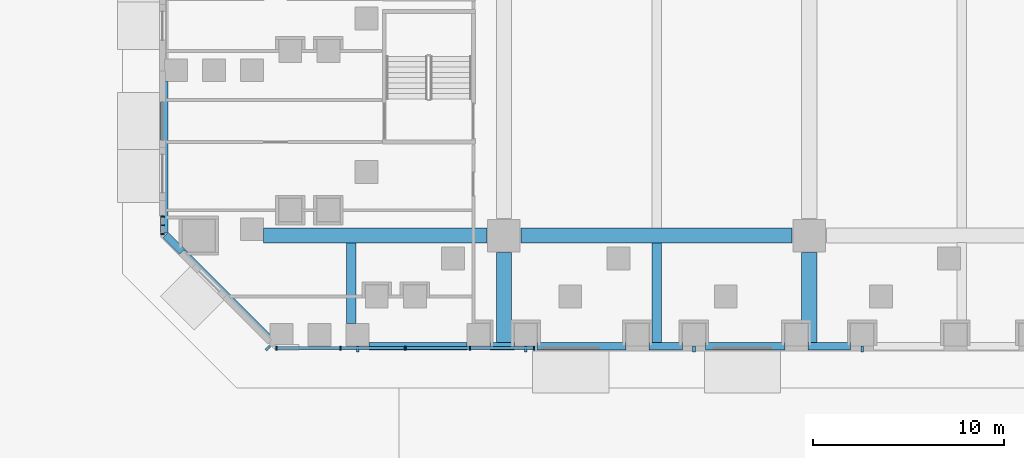
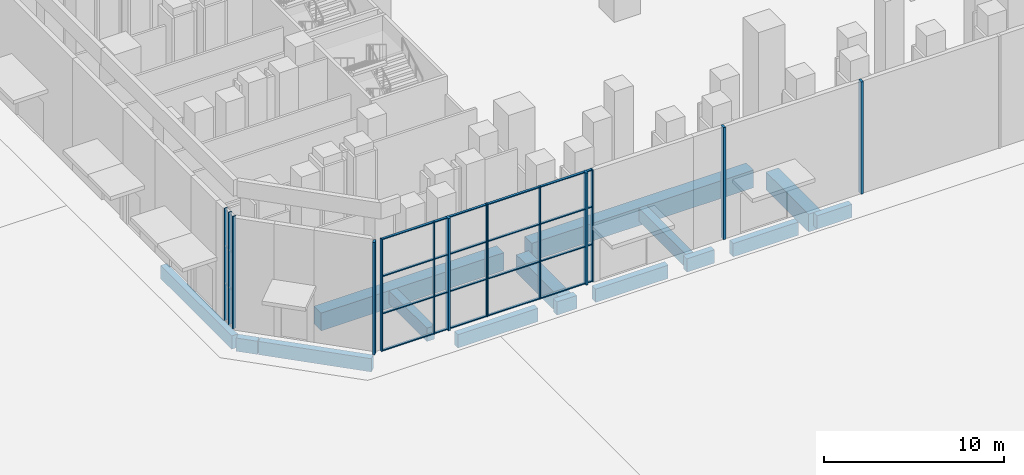
# One storey, part 2 of 51: 30 members, 15 beams, 3 elements without a shape of their own.
"""IFC4 building model written with IfcOpenShell, lengths in metres."""

from ifc_helpers import new_model, si_unit, direction, frame, origin, origin_2d, place, context, subcontext, project, spatial, rectangle, extrude, material, material_profile, profile_set, type_object, element, aggregate, save


model = new_model("IFC4")

# Units and contexts
model_context = context("Model", 3, precision=1e-05, world=origin(), true_north=direction((0.0, 1.0)))
body_context = subcontext(model_context, "Body", "Model", "MODEL_VIEW")
ifc_project = project(units=[si_unit("LENGTHUNIT", "METRE"), si_unit("AREAUNIT", "SQUARE_METRE"), si_unit("VOLUMEUNIT", "CUBIC_METRE"), si_unit("PLANEANGLEUNIT", "RADIAN"), si_unit("MASSUNIT", "GRAM", prefix="KILO")], contexts=[model_context])

# Site, building, storey
site_placement = place(None, origin())
site = spatial("IfcSite", under=ifc_project, at=site_placement, CompositionType="ELEMENT")
building_placement = place(site_placement, origin())
building = spatial("IfcBuilding", under=site, at=building_placement, Name="Calabash Gate Tower", CompositionType="ELEMENT")
storey_placement = place(building_placement, origin())
storey = spatial("IfcBuildingStorey", under=building, at=storey_placement, Name="L00", CompositionType="ELEMENT", Elevation=0.0)

# Beams
ifc_material_1 = material(Name="Concrete C50/60", Category="concrete")
ifc_material_profile_1 = material_profile(ifc_material_1, rectangle(XDim=0.39990234375, YDim=0.89990234375, at=origin_2d()))
ifc_profile_set_1 = profile_set([ifc_material_profile_1], Name="Concrete C50/60")
beam_type_1 = type_object("IfcBeamType", Name="Edge beam RC 400x900 Concrete C50/60", PredefinedType="BEAM", material=ifc_profile_set_1)
beam_1_placement = place(storey_placement, frame((-44.24609375, -45.470947265625, -1.0), z_axis=(-0.707106781187, 0.707106781187, 0.0), x_axis=(-0.707106781187, -0.707106781187, 0.0)))
element("IfcBeam", 1, at=beam_1_placement, inside=storey, type_object=beam_type_1, Name="Edge beam L00 1", PredefinedType="BEAM", context=body_context, shape_type="SweptSolid", body=[
    extrude(rectangle(XDim=0.39990234375, YDim=0.89990234375, at=origin_2d()), origin(), (0.0, 0.0, 1.0), 6.496826171875),
])
beam_2_placement = place(storey_placement, frame((-48.876953125, -40.840087890625, -1.0), z_axis=(-0.707106781187, 0.707106781187, 0.0), x_axis=(-0.707106781187, -0.707106781187, 0.0)))
element("IfcBeam", 2, at=beam_2_placement, inside=storey, type_object=beam_type_1, Name="Edge beam L00 2", PredefinedType="BEAM", context=body_context, shape_type="SweptSolid", body=[
    extrude(rectangle(XDim=0.39990234375, YDim=0.89990234375, at=origin_2d()), origin(), (0.0, 0.0, 1.0), 1.220458984375),
])
beam_3_placement = place(storey_placement, frame((-49.800048828125, -39.83203125, -1.0), z_axis=(0.0, 1.0, 0.0), x_axis=(-1.0, 0.0, 0.0)))
element("IfcBeam", 3, at=beam_3_placement, inside=storey, type_object=beam_type_1, Name="Edge beam L00 3", PredefinedType="BEAM", context=body_context, shape_type="SweptSolid", body=[
    extrude(rectangle(XDim=0.39990234375, YDim=0.89990234375, at=origin_2d()), origin(), (0.0, 0.0, 1.0), 7.89892578125),
])
beam_4_placement = place(storey_placement, frame((-13.822998046875, -45.800048828125, -1.0), z_axis=(-1.0, 0.0, 0.0), x_axis=(0.0, -1.0, 0.0)))
element("IfcBeam", 4, at=beam_4_placement, inside=storey, type_object=beam_type_1, Name="Edge beam L00 47", PredefinedType="BEAM", context=body_context, shape_type="SweptSolid", body=[
    extrude(rectangle(XDim=0.39990234375, YDim=0.89990234375, at=origin_2d()), origin(), (0.0, 0.0, 1.0), 2.243896484375),
])
beam_5_placement = place(storey_placement, frame((-17.26806640625, -45.800048828125, -1.0), z_axis=(-1.0, 0.0, 0.0), x_axis=(0.0, -1.0, 0.0)))
element("IfcBeam", 5, at=beam_5_placement, inside=storey, type_object=beam_type_1, Name="Edge beam L00 48", PredefinedType="BEAM", context=body_context, shape_type="SweptSolid", body=[
    extrude(rectangle(XDim=0.39990234375, YDim=0.89990234375, at=origin_2d()), origin(), (0.0, 0.0, 1.0), 4.169921875),
])
beam_6_placement = place(storey_placement, frame((-22.637939453125, -45.800048828125, -1.0), z_axis=(-1.0, 0.0, 0.0), x_axis=(0.0, -1.0, 0.0)))
element("IfcBeam", 6, at=beam_6_placement, inside=storey, type_object=beam_type_1, Name="Edge beam L00 49", PredefinedType="BEAM", context=body_context, shape_type="SweptSolid", body=[
    extrude(rectangle(XDim=0.39990234375, YDim=0.89990234375, at=origin_2d()), origin(), (0.0, 0.0, 1.0), 1.762939453125),
])
beam_7_placement = place(storey_placement, frame((-25.60107421875, -45.800048828125, -1.0), z_axis=(-1.0, 0.0, 0.0), x_axis=(0.0, -1.0, 0.0)))
element("IfcBeam", 7, at=beam_7_placement, inside=storey, type_object=beam_type_1, Name="Edge beam L00 50", PredefinedType="BEAM", context=body_context, shape_type="SweptSolid", body=[
    extrude(rectangle(XDim=0.39990234375, YDim=0.89990234375, at=origin_2d()), origin(), (0.0, 0.0, 1.0), 4.65185546875),
])
beam_8_placement = place(storey_placement, frame((-31.452880859375, -45.800048828125, -1.0), z_axis=(-1.0, 0.0, 0.0), x_axis=(0.0, -1.0, 0.0)))
element("IfcBeam", 8, at=beam_8_placement, inside=storey, type_object=beam_type_1, Name="Edge beam L00 51", PredefinedType="BEAM", context=body_context, shape_type="SweptSolid", body=[
    extrude(rectangle(XDim=0.39990234375, YDim=0.89990234375, at=origin_2d()), origin(), (0.0, 0.0, 1.0), 1.280029296875),
])
beam_9_placement = place(storey_placement, frame((-33.93310546875, -45.800048828125, -1.0), z_axis=(-1.0, 0.0, 0.0), x_axis=(0.0, -1.0, 0.0)))
element("IfcBeam", 9, at=beam_9_placement, inside=storey, type_object=beam_type_1, Name="Edge beam L00 52", PredefinedType="BEAM", context=body_context, shape_type="SweptSolid", body=[
    extrude(rectangle(XDim=0.39990234375, YDim=0.89990234375, at=origin_2d()), origin(), (0.0, 0.0, 1.0), 5.135986328125),
])
ifc_material_2 = material(Name="Concrete C50/60", Category="concrete")
ifc_material_profile_2 = material_profile(ifc_material_2, rectangle(XDim=0.5, YDim=0.89990234375, at=origin_2d()))
ifc_profile_set_2 = profile_set([ifc_material_profile_2], Name="Concrete C50/60")
beam_type_2 = type_object("IfcBeamType", Name="Floor beam RC 500x900 Concrete C50/60", PredefinedType="BEAM", material=ifc_profile_set_2)
beam_10_placement = place(storey_placement, frame((-40.0, -44.60009765625, -1.0), z_axis=(0.0, 1.0, 0.0), x_axis=(-1.0, 0.0, 0.0)))
element("IfcBeam", 10, at=beam_10_placement, inside=storey, type_object=beam_type_2, Name="Floor beam L00 1", PredefinedType="BEAM", context=body_context, shape_type="SweptSolid", body=[
    extrude(rectangle(XDim=0.5, YDim=0.89990234375, at=origin_2d()), origin(), (0.0, 0.0, 1.0), 4.2001953125),
])
beam_11_placement = place(storey_placement, frame((-24.0, -45.60009765625, -1.0), z_axis=(0.0, 1.0, 0.0), x_axis=(-1.0, 0.0, 0.0)))
element("IfcBeam", 11, at=beam_11_placement, inside=storey, type_object=beam_type_2, Name="Floor beam L00 2", PredefinedType="BEAM", context=body_context, shape_type="SweptSolid", body=[
    extrude(rectangle(XDim=0.5, YDim=0.89990234375, at=origin_2d()), origin(), (0.0, 0.0, 1.0), 5.2001953125),
])
ifc_material_3 = material(Name="Concrete C50/60", Category="concrete")
ifc_material_profile_3 = material_profile(ifc_material_3, rectangle(XDim=0.800048828125, YDim=1.199951171875, at=origin_2d()))
ifc_profile_set_3 = profile_set([ifc_material_profile_3], Name="Concrete C50/60")
beam_type_3 = type_object("IfcBeamType", Name="Grid girder RC 800x1200 Concrete C50/60", PredefinedType="BEAM", material=ifc_profile_set_3)
beam_12_placement = place(storey_placement, frame((-32.0, -45.60009765625, -1.14990234375), z_axis=(0.0, 1.0, 0.0), x_axis=(-1.0, 0.0, 0.0)))
element("IfcBeam", 12, at=beam_12_placement, inside=storey, type_object=beam_type_3, Name="Grid girder L00 2", PredefinedType="BEAM", context=body_context, shape_type="SweptSolid", body=[
    extrude(rectangle(XDim=0.800048828125, YDim=1.199951171875, at=origin_2d()), origin(), (0.0, 0.0, 1.0), 4.7001953125),
])
beam_13_placement = place(storey_placement, frame((-16.0, -45.632080078125, -1.14990234375), z_axis=(0.0, 1.0, 0.0), x_axis=(-1.0, 0.0, 0.0)))
element("IfcBeam", 13, at=beam_13_placement, inside=storey, type_object=beam_type_3, Name="Grid girder L00 7", PredefinedType="BEAM", context=body_context, shape_type="SweptSolid", body=[
    extrude(rectangle(XDim=0.800048828125, YDim=1.199951171875, at=origin_2d()), origin(), (0.0, 0.0, 1.0), 4.732177734375),
])
beam_14_placement = place(storey_placement, frame((-44.60009765625, -40.0, -1.14990234375), z_axis=(1.0, 0.0, 0.0), x_axis=(0.0, 1.0, 0.0)))
element("IfcBeam", 14, at=beam_14_placement, inside=storey, type_object=beam_type_3, Name="Grid girder L00 29", PredefinedType="BEAM", context=body_context, shape_type="SweptSolid", body=[
    extrude(rectangle(XDim=0.800048828125, YDim=1.199951171875, at=origin_2d()), origin(), (0.0, 0.0, 1.0), 11.7001953125),
])
beam_15_placement = place(storey_placement, frame((-31.10009765625, -40.0, -1.14990234375), z_axis=(1.0, 0.0, 0.0), x_axis=(0.0, 1.0, 0.0)))
element("IfcBeam", 15, at=beam_15_placement, inside=storey, type_object=beam_type_3, Name="Grid girder L00 30", PredefinedType="BEAM", context=body_context, shape_type="SweptSolid", body=[
    extrude(rectangle(XDim=0.800048828125, YDim=1.199951171875, at=origin_2d()), origin(), (0.0, 0.0, 1.0), 14.2001953125),
])

# Curtain wall, members
ifc_material_4 = material(Name="Anodised aluminium frame, bronze finish, clear laminated impact-rated glazing", Category="aluminium")
curtain_wall_type = type_object("IfcCurtainWallType", Name="Curtain wall CWF podium shopfront", PredefinedType="NOTDEFINED", material=ifc_material_4)
curtain_wall_1_placement = place(storey_placement, origin())
curtain_wall_1 = element("IfcCurtainWall", 16, at=curtain_wall_1_placement, inside=storey, type_object=curtain_wall_type, Name="Curtain wall CWF L00 0.0.0", PredefinedType="NOTDEFINED")
ifc_material_5 = material(Name="Anodised aluminium frame, bronze finish", Category="aluminium")
ifc_material_profile_4 = material_profile(ifc_material_5, rectangle(XDim=0.199951171875, YDim=0.06494140625, at=origin_2d()))
ifc_profile_set_4 = profile_set([ifc_material_profile_4], Name="Anodised aluminium frame, bronze finish")
member_type_1 = type_object("IfcMemberType", Name="Mullion CWF 65x200", PredefinedType="MULLION", material=ifc_profile_set_4)
member_1_placement = place(storey_placement, frame((-43.91748046875, -45.89990234375, 0.0), z_axis=(0.0, 0.0, 1.0), x_axis=(0.0, 1.0, 0.0)))
member_1 = element("IfcMember", 17, at=member_1_placement, type_object=member_type_1, Name="CWF mullion 1", PredefinedType="MULLION", context=body_context, shape_type="SweptSolid", body=[
    extrude(rectangle(XDim=0.199951171875, YDim=0.06494140625, at=origin_2d()), origin(), (0.0, 0.0, 1.0), 7.60009765625),
])
member_2_placement = place(storey_placement, frame((-40.5615234375, -45.89990234375, 0.0), z_axis=(0.0, 0.0, 1.0), x_axis=(0.0, 1.0, 0.0)))
member_2 = element("IfcMember", 18, at=member_2_placement, type_object=member_type_1, Name="CWF mullion 2", PredefinedType="MULLION", context=body_context, shape_type="SweptSolid", body=[
    extrude(rectangle(XDim=0.199951171875, YDim=0.06494140625, at=origin_2d()), origin(), (0.0, 0.0, 1.0), 7.60009765625),
])
member_3_placement = place(storey_placement, frame((-37.20556640625, -45.89990234375, 0.0), z_axis=(0.0, 0.0, 1.0), x_axis=(0.0, 1.0, 0.0)))
member_3 = element("IfcMember", 19, at=member_3_placement, type_object=member_type_1, Name="CWF mullion 3", PredefinedType="MULLION", context=body_context, shape_type="SweptSolid", body=[
    extrude(rectangle(XDim=0.199951171875, YDim=0.06494140625, at=origin_2d()), origin(), (0.0, 0.0, 1.0), 7.60009765625),
])

curtain_wall_2_placement = place(storey_placement, origin())
curtain_wall_2 = element("IfcCurtainWall", 20, at=curtain_wall_2_placement, inside=storey, type_object=curtain_wall_type, Name="Curtain wall CWF L00 0.0.1", PredefinedType="NOTDEFINED")
member_4_placement = place(storey_placement, frame((-37.140380859375, -45.89990234375, 0.0), z_axis=(0.0, 0.0, 1.0), x_axis=(0.0, 1.0, 0.0)))
member_4 = element("IfcMember", 21, at=member_4_placement, type_object=member_type_1, Name="CWF mullion 1", PredefinedType="MULLION", context=body_context, shape_type="SweptSolid", body=[
    extrude(rectangle(XDim=0.199951171875, YDim=0.06494140625, at=origin_2d()), origin(), (0.0, 0.0, 1.0), 7.60009765625),
])
member_5_placement = place(storey_placement, frame((-33.784423828125, -45.89990234375, 0.0), z_axis=(0.0, 0.0, 1.0), x_axis=(0.0, 1.0, 0.0)))
member_5 = element("IfcMember", 22, at=member_5_placement, type_object=member_type_1, Name="CWF mullion 2", PredefinedType="MULLION", context=body_context, shape_type="SweptSolid", body=[
    extrude(rectangle(XDim=0.199951171875, YDim=0.06494140625, at=origin_2d()), origin(), (0.0, 0.0, 1.0), 7.60009765625),
])
member_6_placement = place(storey_placement, frame((-30.428466796875, -45.89990234375, 0.0), z_axis=(0.0, 0.0, 1.0), x_axis=(0.0, 1.0, 0.0)))
member_6 = element("IfcMember", 23, at=member_6_placement, type_object=member_type_1, Name="CWF mullion 3", PredefinedType="MULLION", context=body_context, shape_type="SweptSolid", body=[
    extrude(rectangle(XDim=0.199951171875, YDim=0.06494140625, at=origin_2d()), origin(), (0.0, 0.0, 1.0), 7.60009765625),
])

curtain_wall_3_placement = place(storey_placement, origin())
curtain_wall_3 = element("IfcCurtainWall", 24, at=curtain_wall_3_placement, inside=storey, type_object=curtain_wall_type, Name="Curtain wall CWF L00 6.1.0", PredefinedType="NOTDEFINED")
member_7_placement = place(storey_placement, frame((-49.89990234375, -39.00244140625, 0.0), z_axis=(0.0, 0.0, 1.0), x_axis=(1.0, 0.0, 0.0)))
member_7 = element("IfcMember", 25, at=member_7_placement, type_object=member_type_1, Name="CWF mullion 1", PredefinedType="MULLION", context=body_context, shape_type="SweptSolid", body=[
    extrude(rectangle(XDim=0.199951171875, YDim=0.06494140625, at=origin_2d()), origin(), (0.0, 0.0, 1.0), 7.60009765625),
])
member_8_placement = place(storey_placement, frame((-49.89990234375, -39.4599609375, 0.0), z_axis=(0.0, 0.0, 1.0), x_axis=(1.0, 0.0, 0.0)))
member_8 = element("IfcMember", 26, at=member_8_placement, type_object=member_type_1, Name="CWF mullion 2", PredefinedType="MULLION", context=body_context, shape_type="SweptSolid", body=[
    extrude(rectangle(XDim=0.199951171875, YDim=0.06494140625, at=origin_2d()), origin(), (0.0, 0.0, 1.0), 7.60009765625),
])
member_9_placement = place(storey_placement, frame((-49.89990234375, -39.91748046875, 0.0), z_axis=(0.0, 0.0, 1.0), x_axis=(1.0, 0.0, 0.0)))
member_9 = element("IfcMember", 27, at=member_9_placement, type_object=member_type_1, Name="CWF mullion 3", PredefinedType="MULLION", context=body_context, shape_type="SweptSolid", body=[
    extrude(rectangle(XDim=0.199951171875, YDim=0.06494140625, at=origin_2d()), origin(), (0.0, 0.0, 1.0), 7.60009765625),
])
aggregate(curtain_wall_3, [member_7, member_8, member_9])

# Members
ifc_material_6 = material(Name="Terracotta brick masonry, baguette fin", Category="masonry")
ifc_material_profile_5 = material_profile(ifc_material_6, rectangle(XDim=0.139892578125, YDim=0.300048828125, at=origin_2d()))
ifc_profile_set_5 = profile_set([ifc_material_profile_5], Name="Terracotta brick masonry, baguette fin")
member_type_2 = type_object("IfcMemberType", Name="Terracotta baguette 140x300", PredefinedType="USERDEFINED", material=ifc_profile_set_5)
for number, where, z_axis, x_axis, name in (
    (28, (-44.375, -45.906005859375, 0.0), (0.0, 0.0, 1.0), (0.707106781187, -0.707106781187, 0.0), "BAGUETTE L00 1"),
    (29, (-39.6689453125, -45.949951171875, 0.0), (0.0, 0.0, 1.0), (1.0, 0.0, 0.0), "BAGUETTE L00 2"),
    (30, (-30.85302734375, -45.949951171875, 0.0), (0.0, 0.0, 1.0), (1.0, 0.0, 0.0), "BAGUETTE L00 3"),
    (31, (-22.0380859375, -45.949951171875, 0.0), (0.0, 0.0, 1.0), (1.0, 0.0, 0.0), "BAGUETTE L00 4"),
    (32, (-13.222900390625, -45.949951171875, 0.0), (0.0, 0.0, 1.0), (1.0, 0.0, 0.0), "BAGUETTE L00 5"),
):
    element("IfcMember", number, at=place(storey_placement, frame(where, z_axis=z_axis, x_axis=x_axis)), inside=storey, type_object=member_type_2, Name=name, ObjectType="BAGUETTE", PredefinedType="USERDEFINED", context=body_context, shape_type="SweptSolid", body=[
        extrude(rectangle(XDim=0.139892578125, YDim=0.300048828125, at=origin_2d()), origin(), (0.0, 0.0, 1.0), 7.60009765625),
    ])

# Member
ifc_material_7 = material(Name="Anodised aluminium frame, bronze finish", Category="aluminium")
ifc_material_profile_6 = material_profile(ifc_material_7, rectangle(XDim=0.14990234375, YDim=0.06494140625, at=origin_2d()))
ifc_profile_set_6 = profile_set([ifc_material_profile_6], Name="Anodised aluminium frame, bronze finish")
member_type_3 = type_object("IfcMemberType", Name="Transom CWF 65x150", PredefinedType="USERDEFINED", material=ifc_profile_set_6)
member_10_placement = place(storey_placement, frame((-43.885009765625, -45.89990234375, 0.032470703125), z_axis=(1.0, 0.0, 0.0), x_axis=(0.0, 1.0, 0.0)))
member_10 = element("IfcMember", 33, at=member_10_placement, type_object=member_type_3, Name="CWF transom 1.1", ObjectType="TRANSOM", PredefinedType="USERDEFINED", context=body_context, shape_type="SweptSolid", body=[
    extrude(rectangle(XDim=0.14990234375, YDim=0.06494140625, at=origin_2d()), origin(), (0.0, 0.0, 1.0), 3.291015625),
])

member_11_placement = place(storey_placement, frame((-43.885009765625, -45.89990234375, 2.533447265625), z_axis=(1.0, 0.0, 0.0), x_axis=(0.0, 1.0, 0.0)))
member_11 = element("IfcMember", 34, at=member_11_placement, type_object=member_type_3, Name="CWF transom 1.2", ObjectType="TRANSOM", PredefinedType="USERDEFINED", context=body_context, shape_type="SweptSolid", body=[
    extrude(rectangle(XDim=0.14990234375, YDim=0.06494140625, at=origin_2d()), origin(), (0.0, 0.0, 1.0), 3.291015625),
])

member_12_placement = place(storey_placement, frame((-43.885009765625, -45.89990234375, 5.066650390625), z_axis=(1.0, 0.0, 0.0), x_axis=(0.0, 1.0, 0.0)))
member_12 = element("IfcMember", 35, at=member_12_placement, type_object=member_type_3, Name="CWF transom 1.3", ObjectType="TRANSOM", PredefinedType="USERDEFINED", context=body_context, shape_type="SweptSolid", body=[
    extrude(rectangle(XDim=0.14990234375, YDim=0.06494140625, at=origin_2d()), origin(), (0.0, 0.0, 1.0), 3.291015625),
])

member_13_placement = place(storey_placement, frame((-43.885009765625, -45.89990234375, 7.5673828125), z_axis=(1.0, 0.0, 0.0), x_axis=(0.0, 1.0, 0.0)))
member_13 = element("IfcMember", 36, at=member_13_placement, type_object=member_type_3, Name="CWF transom 1.4", ObjectType="TRANSOM", PredefinedType="USERDEFINED", context=body_context, shape_type="SweptSolid", body=[
    extrude(rectangle(XDim=0.14990234375, YDim=0.06494140625, at=origin_2d()), origin(), (0.0, 0.0, 1.0), 3.291015625),
])

member_14_placement = place(storey_placement, frame((-40.529052734375, -45.89990234375, 0.032470703125), z_axis=(1.0, 0.0, 0.0), x_axis=(0.0, 1.0, 0.0)))
member_14 = element("IfcMember", 37, at=member_14_placement, type_object=member_type_3, Name="CWF transom 2.1", ObjectType="TRANSOM", PredefinedType="USERDEFINED", context=body_context, shape_type="SweptSolid", body=[
    extrude(rectangle(XDim=0.14990234375, YDim=0.06494140625, at=origin_2d()), origin(), (0.0, 0.0, 1.0), 3.291015625),
])

member_15_placement = place(storey_placement, frame((-40.529052734375, -45.89990234375, 2.533447265625), z_axis=(1.0, 0.0, 0.0), x_axis=(0.0, 1.0, 0.0)))
member_15 = element("IfcMember", 38, at=member_15_placement, type_object=member_type_3, Name="CWF transom 2.2", ObjectType="TRANSOM", PredefinedType="USERDEFINED", context=body_context, shape_type="SweptSolid", body=[
    extrude(rectangle(XDim=0.14990234375, YDim=0.06494140625, at=origin_2d()), origin(), (0.0, 0.0, 1.0), 3.291015625),
])

member_16_placement = place(storey_placement, frame((-40.529052734375, -45.89990234375, 5.066650390625), z_axis=(1.0, 0.0, 0.0), x_axis=(0.0, 1.0, 0.0)))
member_16 = element("IfcMember", 39, at=member_16_placement, type_object=member_type_3, Name="CWF transom 2.3", ObjectType="TRANSOM", PredefinedType="USERDEFINED", context=body_context, shape_type="SweptSolid", body=[
    extrude(rectangle(XDim=0.14990234375, YDim=0.06494140625, at=origin_2d()), origin(), (0.0, 0.0, 1.0), 3.291015625),
])

member_17_placement = place(storey_placement, frame((-40.529052734375, -45.89990234375, 7.5673828125), z_axis=(1.0, 0.0, 0.0), x_axis=(0.0, 1.0, 0.0)))
member_17 = element("IfcMember", 40, at=member_17_placement, type_object=member_type_3, Name="CWF transom 2.4", ObjectType="TRANSOM", PredefinedType="USERDEFINED", context=body_context, shape_type="SweptSolid", body=[
    extrude(rectangle(XDim=0.14990234375, YDim=0.06494140625, at=origin_2d()), origin(), (0.0, 0.0, 1.0), 3.291015625),
])

aggregate(curtain_wall_1, [member_1, member_2, member_3, member_10, member_11, member_12, member_13, member_14, member_15, member_16, member_17])

member_18_placement = place(storey_placement, frame((-37.10791015625, -45.89990234375, 0.032470703125), z_axis=(1.0, 0.0, 0.0), x_axis=(0.0, 1.0, 0.0)))
member_18 = element("IfcMember", 41, at=member_18_placement, type_object=member_type_3, Name="CWF transom 1.1", ObjectType="TRANSOM", PredefinedType="USERDEFINED", context=body_context, shape_type="SweptSolid", body=[
    extrude(rectangle(XDim=0.14990234375, YDim=0.06494140625, at=origin_2d()), origin(), (0.0, 0.0, 1.0), 3.291015625),
])

member_19_placement = place(storey_placement, frame((-37.10791015625, -45.89990234375, 2.533447265625), z_axis=(1.0, 0.0, 0.0), x_axis=(0.0, 1.0, 0.0)))
member_19 = element("IfcMember", 42, at=member_19_placement, type_object=member_type_3, Name="CWF transom 1.2", ObjectType="TRANSOM", PredefinedType="USERDEFINED", context=body_context, shape_type="SweptSolid", body=[
    extrude(rectangle(XDim=0.14990234375, YDim=0.06494140625, at=origin_2d()), origin(), (0.0, 0.0, 1.0), 3.291015625),
])

member_20_placement = place(storey_placement, frame((-37.10791015625, -45.89990234375, 5.066650390625), z_axis=(1.0, 0.0, 0.0), x_axis=(0.0, 1.0, 0.0)))
member_20 = element("IfcMember", 43, at=member_20_placement, type_object=member_type_3, Name="CWF transom 1.3", ObjectType="TRANSOM", PredefinedType="USERDEFINED", context=body_context, shape_type="SweptSolid", body=[
    extrude(rectangle(XDim=0.14990234375, YDim=0.06494140625, at=origin_2d()), origin(), (0.0, 0.0, 1.0), 3.291015625),
])

member_21_placement = place(storey_placement, frame((-37.10791015625, -45.89990234375, 7.5673828125), z_axis=(1.0, 0.0, 0.0), x_axis=(0.0, 1.0, 0.0)))
member_21 = element("IfcMember", 44, at=member_21_placement, type_object=member_type_3, Name="CWF transom 1.4", ObjectType="TRANSOM", PredefinedType="USERDEFINED", context=body_context, shape_type="SweptSolid", body=[
    extrude(rectangle(XDim=0.14990234375, YDim=0.06494140625, at=origin_2d()), origin(), (0.0, 0.0, 1.0), 3.291015625),
])

member_22_placement = place(storey_placement, frame((-33.751953125, -45.89990234375, 0.032470703125), z_axis=(1.0, 0.0, 0.0), x_axis=(0.0, 1.0, 0.0)))
member_22 = element("IfcMember", 45, at=member_22_placement, type_object=member_type_3, Name="CWF transom 2.1", ObjectType="TRANSOM", PredefinedType="USERDEFINED", context=body_context, shape_type="SweptSolid", body=[
    extrude(rectangle(XDim=0.14990234375, YDim=0.06494140625, at=origin_2d()), origin(), (0.0, 0.0, 1.0), 3.291015625),
])

member_23_placement = place(storey_placement, frame((-33.751953125, -45.89990234375, 2.533447265625), z_axis=(1.0, 0.0, 0.0), x_axis=(0.0, 1.0, 0.0)))
member_23 = element("IfcMember", 46, at=member_23_placement, type_object=member_type_3, Name="CWF transom 2.2", ObjectType="TRANSOM", PredefinedType="USERDEFINED", context=body_context, shape_type="SweptSolid", body=[
    extrude(rectangle(XDim=0.14990234375, YDim=0.06494140625, at=origin_2d()), origin(), (0.0, 0.0, 1.0), 3.291015625),
])

member_24_placement = place(storey_placement, frame((-33.751953125, -45.89990234375, 5.066650390625), z_axis=(1.0, 0.0, 0.0), x_axis=(0.0, 1.0, 0.0)))
member_24 = element("IfcMember", 47, at=member_24_placement, type_object=member_type_3, Name="CWF transom 2.3", ObjectType="TRANSOM", PredefinedType="USERDEFINED", context=body_context, shape_type="SweptSolid", body=[
    extrude(rectangle(XDim=0.14990234375, YDim=0.06494140625, at=origin_2d()), origin(), (0.0, 0.0, 1.0), 3.291015625),
])

member_25_placement = place(storey_placement, frame((-33.751953125, -45.89990234375, 7.5673828125), z_axis=(1.0, 0.0, 0.0), x_axis=(0.0, 1.0, 0.0)))
member_25 = element("IfcMember", 48, at=member_25_placement, type_object=member_type_3, Name="CWF transom 2.4", ObjectType="TRANSOM", PredefinedType="USERDEFINED", context=body_context, shape_type="SweptSolid", body=[
    extrude(rectangle(XDim=0.14990234375, YDim=0.06494140625, at=origin_2d()), origin(), (0.0, 0.0, 1.0), 3.291015625),
])

aggregate(curtain_wall_2, [member_4, member_5, member_6, member_18, member_19, member_20, member_21, member_22, member_23, member_24, member_25])

save(model, "model.ifc")
